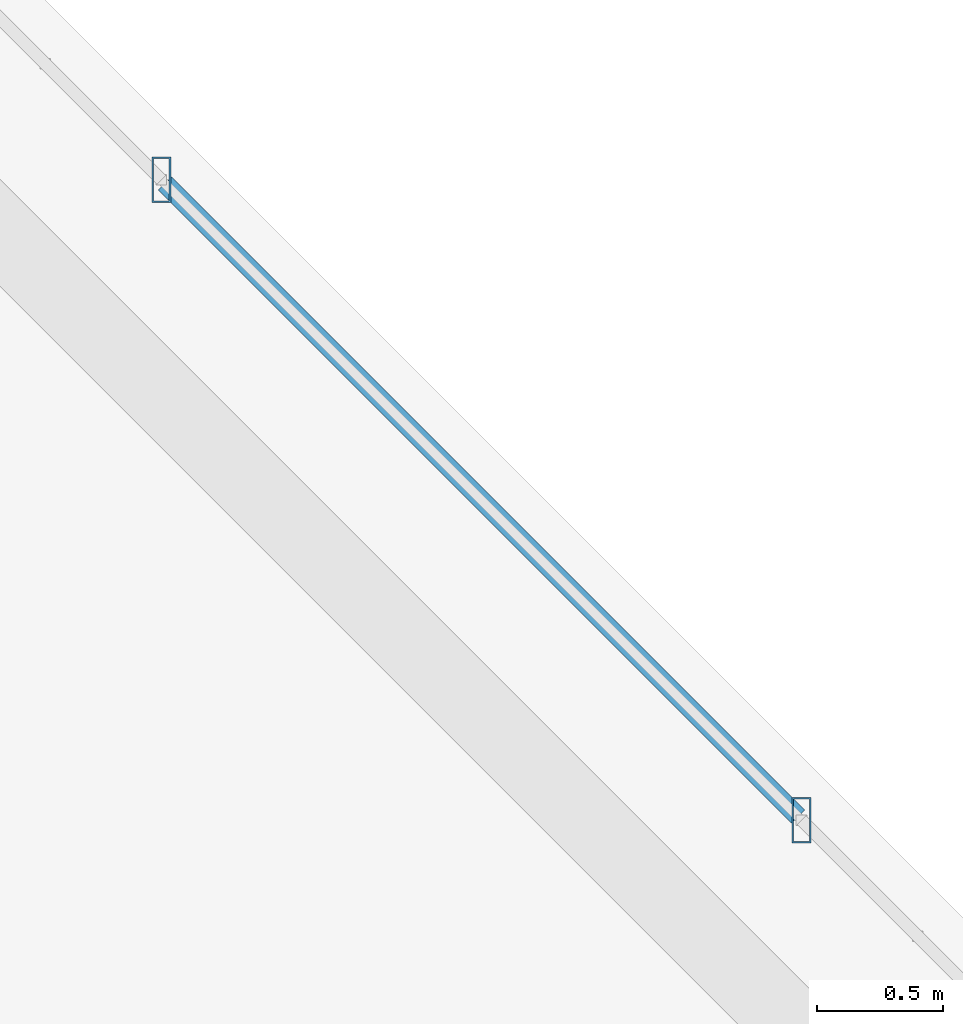
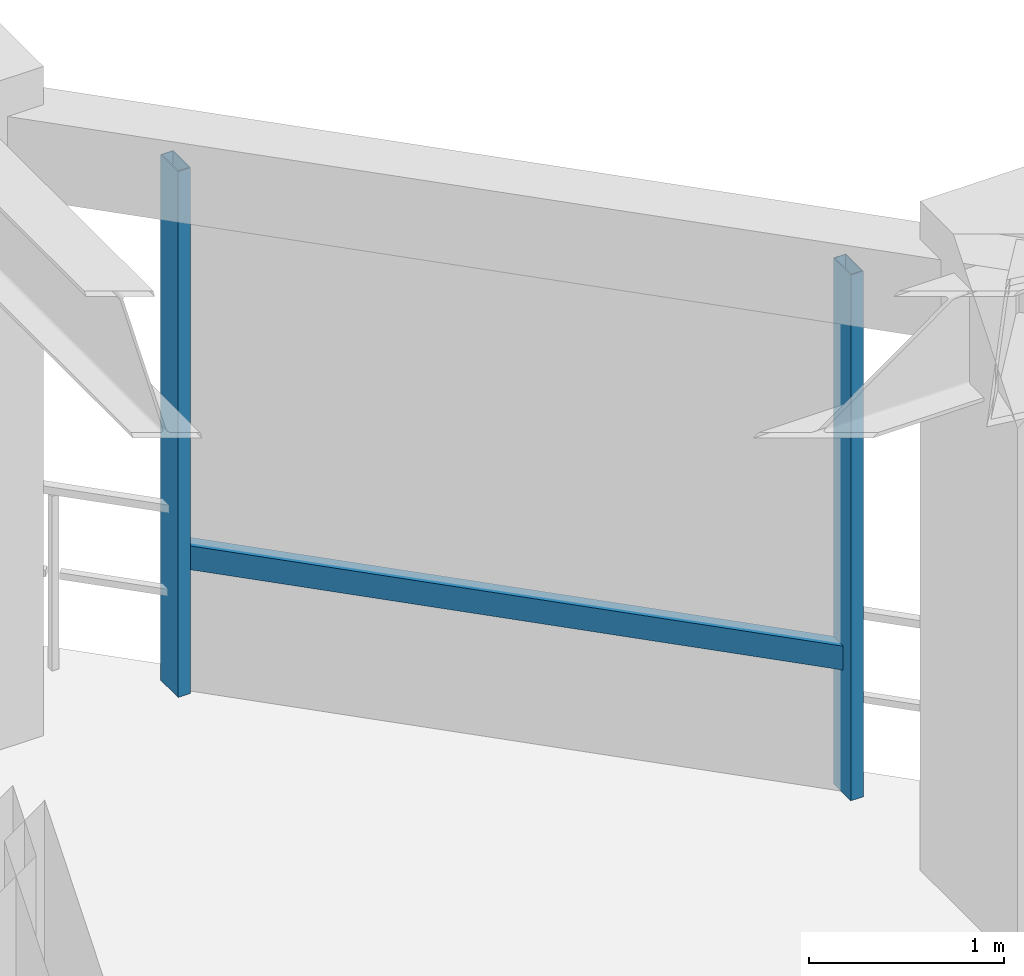
# One storey, part 26 of 42: 3 members, 1 element without a shape of its own.
"""IFC4 building model written with IfcOpenShell, lengths in metres."""

from ifc_helpers import new_model, si_unit, direction, frame, origin, origin_2d, place, context, subcontext, project, spatial, hollow_rectangle, extrude, material, material_profile, profile_set, type_object, element, aggregate, save


model = new_model("IFC4")

# Units and contexts
model_context = context("Model", 3, precision=1e-05, world=origin(), true_north=direction((0.0, 1.0)))
body_context = subcontext(model_context, "Body", "Model", "MODEL_VIEW")
ifc_project = project(units=[si_unit("LENGTHUNIT", "METRE"), si_unit("AREAUNIT", "SQUARE_METRE"), si_unit("VOLUMEUNIT", "CUBIC_METRE"), si_unit("PLANEANGLEUNIT", "RADIAN"), si_unit("MASSUNIT", "GRAM", prefix="KILO")], contexts=[model_context])

# Site, building, storey
site_placement = place(None, origin())
site = spatial("IfcSite", under=ifc_project, at=site_placement, CompositionType="ELEMENT")
building_placement = place(site_placement, origin())
building = spatial("IfcBuilding", under=site, at=building_placement, Name="Thornwick Lancets Civic Towers", CompositionType="ELEMENT")
storey_placement = place(building_placement, frame((0.0, 0.0, 221.699951171875)))
storey = spatial("IfcBuildingStorey", under=building, at=storey_placement, Name="L59", CompositionType="ELEMENT", Elevation=221.699951171875)

# Curtain wall, members
ifc_material_1 = material(Name="High-zone chamfered-corner unitised glass curtain wall", Category="glass")
curtain_wall_type = type_object("IfcCurtainWallType", Name="CW_SYS_05", PredefinedType="NOTDEFINED", material=ifc_material_1)
curtain_wall_placement = place(storey_placement, origin())
curtain_wall = element("IfcCurtainWall", 1, at=curtain_wall_placement, inside=storey, type_object=curtain_wall_type, Name="L59 Curtain Wall CW-L59-B-E3", PredefinedType="NOTDEFINED")
ifc_material_2 = material(Name="Thermally broken bronze aluminium S355", Category="steel")
ifc_material_profile_1 = material_profile(ifc_material_2, hollow_rectangle(XDim=0.074951171875, YDim=0.179931640625, WallThickness=0.006103515625, at=origin_2d()), Name="RHS 180x75x6")
ifc_profile_set_1 = profile_set([ifc_material_profile_1], Name="Thermally broken bronze aluminium S355")
member_type_1 = type_object("IfcMemberType", Name="CW_MUL_180", PredefinedType="MULLION", material=ifc_profile_set_1)
member_1_placement = place(storey_placement, frame((105.339599609375, 41.3076171875, 0.0), z_axis=(0.0, 0.0, 1.0), x_axis=(1.0, 0.0, 0.0)))
member_1 = element("IfcMember", 2, at=member_1_placement, type_object=member_type_1, Name="CW-L59-B-E3 Mullion 0", PredefinedType="MULLION", context=body_context, shape_type="SweptSolid", body=[
    extrude(hollow_rectangle(XDim=0.074951171875, YDim=0.179931640625, WallThickness=0.006103515625, at=origin_2d()), origin(), (0.0, 0.0, 1.0), 3.300048828125),
])
member_2_placement = place(storey_placement, frame((102.8076171875, 43.839599609375, 0.0), z_axis=(0.0, 0.0, 1.0), x_axis=(1.0, 0.0, 0.0)))
member_2 = element("IfcMember", 3, at=member_2_placement, type_object=member_type_1, Name="CW-L59-B-E3 Mullion 1", PredefinedType="MULLION", context=body_context, shape_type="SweptSolid", body=[
    extrude(hollow_rectangle(XDim=0.074951171875, YDim=0.179931640625, WallThickness=0.006103515625, at=origin_2d()), origin(), (0.0, 0.0, 1.0), 3.300048828125),
])
ifc_material_profile_2 = material_profile(ifc_material_2, hollow_rectangle(XDim=0.074951171875, YDim=0.14990234375, WallThickness=0.0048828125, at=origin_2d()), Name="RHS 150x75x5")
ifc_profile_set_2 = profile_set([ifc_material_profile_2], Name="Thermally broken bronze aluminium S355")
member_type_2 = type_object("IfcMemberType", Name="CW_TRN_150", PredefinedType="USERDEFINED", material=ifc_profile_set_2)
member_3_placement = place(storey_placement, frame((105.32568359375, 41.321533203125, 0.85009765625), z_axis=(-0.707106781187, 0.707106781187, 0.0), x_axis=(-0.707106781187, -0.707106781187, 0.0)))
member_3 = element("IfcMember", 4, at=member_3_placement, type_object=member_type_2, Name="CW-L59-B-E3 Transom 0", ObjectType="TRANSOM", PredefinedType="USERDEFINED", context=body_context, shape_type="SweptSolid", body=[
    extrude(hollow_rectangle(XDim=0.074951171875, YDim=0.14990234375, WallThickness=0.0048828125, at=origin_2d()), origin(), (0.0, 0.0, 1.0), 3.54150390625),
])
aggregate(curtain_wall, [member_1, member_2, member_3])

save(model, "model.ifc")
